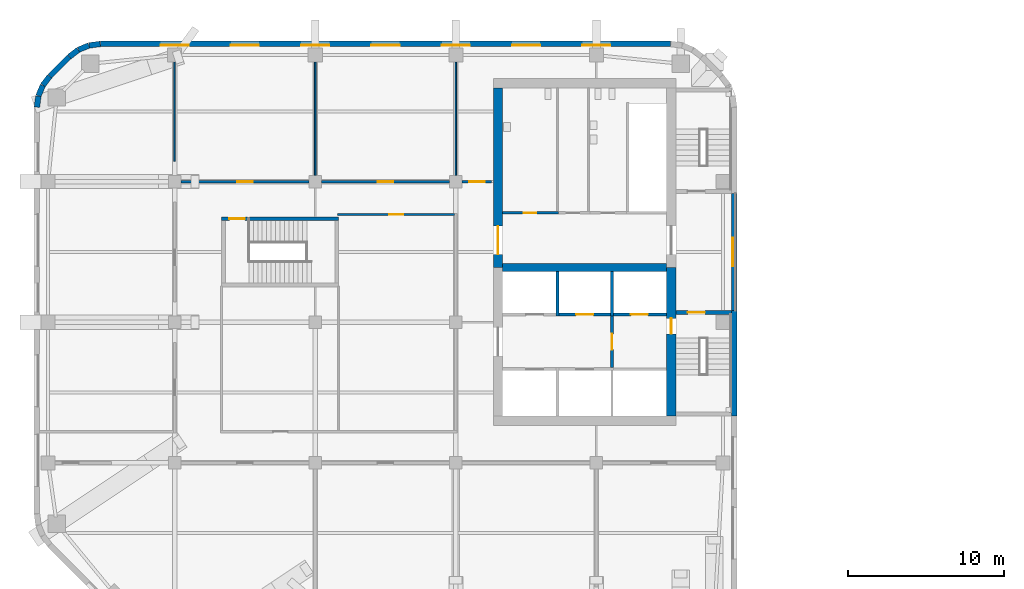
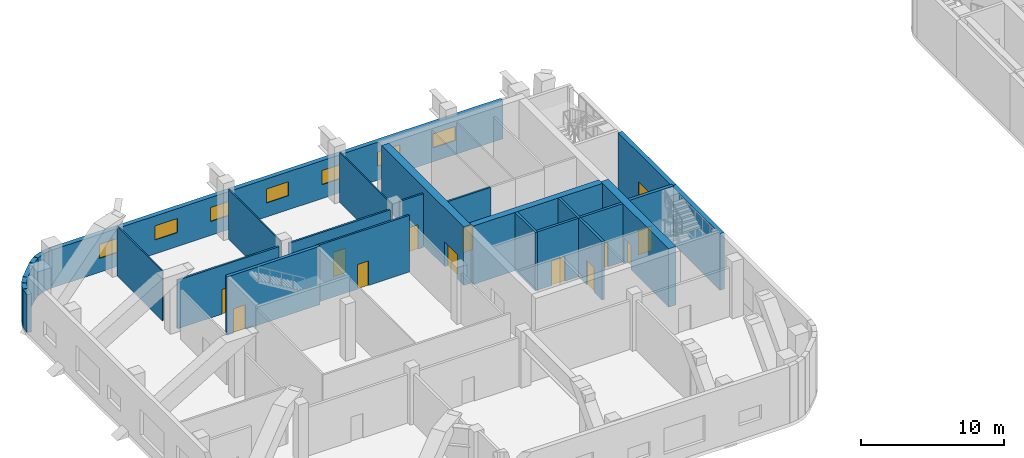
# One storey, part 13 of 23: 28 walls, 12 doors, 8 windows, 20 openings.
"""IFC4 building model written with IfcOpenShell, lengths in metres."""

import ifcopenshell
import ifcopenshell.guid

model = None  # the IFC model being written
_history = None  # IfcOwnerHistory: only IFC2X3 demands one
_inside = {}  # id of a spatial element -> (the spatial element, [elements in it])
_under = {}  # id of a project, library or spatial element -> (it, [spatial elements below it])
_declared = {}  # id of a project -> (the project, [libraries it declares])
_typed = {}  # id of a type object -> (the type object, [elements of that type])
_made_of = {}  # id of a material, layer set ... -> (it, [elements and type objects made of it])


def new_model(schema):
    """Start an empty IFC model of exactly this schema.

    Asked for "IFC4X3", IfcOpenShell would pick the latest addendum, in which some entities
    have other attributes; the version numbers below select the first issue.
    IFC2X3 requires an IfcOwnerHistory on every rooted entity: one is made here for all.
    """
    global model, _history
    if schema == "IFC4X3":
        model = ifcopenshell.file(schema_version=(4, 3, 0, 0))
    else:
        model = ifcopenshell.file(schema=schema)
    _inside.clear()
    _under.clear()
    _declared.clear()
    _typed.clear()
    _made_of.clear()
    _history = None
    if model.schema == "IFC2X3":
        org = make("IfcOrganization", Name="unknown")
        user = make(
            "IfcPersonAndOrganization",
            ThePerson=make("IfcPerson", FamilyName="unknown"),
            TheOrganization=org,
        )
        app = make(
            "IfcApplication",
            ApplicationDeveloper=org,
            Version="unknown",
            ApplicationFullName="unknown",
            ApplicationIdentifier="unknown",
        )
        _history = make(
            "IfcOwnerHistory",
            OwningUser=user,
            OwningApplication=app,
            ChangeAction="ADDED",
            CreationDate=0,
        )
    return model


def make(cls, **values):
    """One entity of the class cls with the attributes given. An attribute that is None is left unset."""
    return model.create_entity(
        cls, **{name: value for name, value in values.items() if value is not None}
    )


def rooted(cls, **values):
    """An entity with a GlobalId (a new one), such as an element, a storey or a relation."""
    return make(cls, GlobalId=ifcopenshell.guid.new(), OwnerHistory=_history, **values)


def si_unit(unit_type, name, prefix=None):
    """IfcSIUnit, for example si_unit("LENGTHUNIT", "METRE", prefix="MILLI")."""
    return make("IfcSIUnit", UnitType=unit_type, Prefix=prefix, Name=name)


def assignment(units):
    """IfcUnitAssignment: the units of a project."""
    return None if units is None else make("IfcUnitAssignment", Units=units)


def point(xyz):
    """IfcCartesianPoint."""
    return None if xyz is None else make("IfcCartesianPoint", Coordinates=xyz)


def direction(xyz):
    """IfcDirection."""
    return None if xyz is None else make("IfcDirection", DirectionRatios=xyz)


def frame(location, z_axis=None, x_axis=None):
    """IfcAxis2Placement3D, a coordinate frame: its origin and axes. An axis left out is left unset."""
    return make(
        "IfcAxis2Placement3D",
        Location=point(location),
        Axis=direction(z_axis),
        RefDirection=direction(x_axis),
    )


def frame_2d(location, x_axis=None):
    """IfcAxis2Placement2D, a coordinate frame in the plane: its origin and x axis."""
    return make(
        "IfcAxis2Placement2D", Location=point(location), RefDirection=direction(x_axis)
    )


def origin():
    """The frame at (0, 0, 0) with its axes left unset."""
    return frame((0.0, 0.0, 0.0))


def place(relative_to, where):
    """IfcLocalPlacement: puts the frame where relative to a parent placement (None: the world)."""
    return make(
        "IfcLocalPlacement", PlacementRelTo=relative_to, RelativePlacement=where
    )


def context(
    kind, dimensions, precision=None, world=None, true_north=None, identifier=None
):
    """IfcGeometricRepresentationContext, for example the 3D "Model" context."""
    return make(
        "IfcGeometricRepresentationContext",
        ContextIdentifier=identifier,
        ContextType=kind,
        CoordinateSpaceDimension=dimensions,
        Precision=precision,
        WorldCoordinateSystem=world,
        TrueNorth=true_north,
    )


def subcontext(parent, identifier, kind, view, scale=None):
    """IfcGeometricRepresentationSubContext, for example "Body" below "Model"."""
    return make(
        "IfcGeometricRepresentationSubContext",
        ContextIdentifier=identifier,
        ContextType=kind,
        ParentContext=parent,
        TargetScale=scale,
        TargetView=view,
    )


def project(units=None, contexts=None):
    """IfcProject with its units and contexts."""
    return rooted(
        "IfcProject",
        Name="project",
        RepresentationContexts=contexts,
        UnitsInContext=assignment(units),
    )


def spatial(cls, under=None, at=None, **own):
    """A site, building, storey or space (cls), placed at a placement, below another one or the project."""
    s = rooted(cls, ObjectPlacement=at, **own)
    if under is not None:
        _under.setdefault(under.id(), (under, []))[1].append(s)
    return s


def profile(cls, at=None, kind="AREA", **sizes):
    """A parametric profile (cls). Its sizes go by their IFC names, for example OverallWidth=200.0."""
    return make(cls, ProfileType=kind, Position=at, **sizes)


def rectangle(**sizes):
    """IfcRectangleProfileDef."""
    return profile("IfcRectangleProfileDef", **sizes)


def extrude(swept, where, along, depth):
    """IfcExtrudedAreaSolid: the profile swept, set in the frame where, extruded along a direction by depth."""
    return make(
        "IfcExtrudedAreaSolid",
        SweptArea=swept,
        Position=where,
        ExtrudedDirection=direction(along),
        Depth=depth,
    )


def shape(context_of_items, identifier, shape_type, items):
    """IfcShapeRepresentation: the items that make up one representation, for example the "Body"."""
    return make(
        "IfcShapeRepresentation",
        ContextOfItems=context_of_items,
        RepresentationIdentifier=identifier,
        RepresentationType=shape_type,
        Items=items,
    )


def material(Name=None, Category=None):
    """IfcMaterial."""
    return make("IfcMaterial", Name=Name, Category=Category)


def layer(
    of_material, thickness, ventilated=None, Name=None, Category=None, Priority=None
):
    """IfcMaterialLayer: one layer of a wall or slab, of a material (None: an air gap)."""
    return make(
        "IfcMaterialLayer",
        Material=of_material,
        LayerThickness=thickness,
        IsVentilated=ventilated,
        Name=Name,
        Category=Category,
        Priority=Priority,
    )


def layer_set(layers, Name=None):
    """IfcMaterialLayerSet."""
    return make("IfcMaterialLayerSet", MaterialLayers=layers, LayerSetName=Name)


def made_of(thing, what):
    """Note that an element or type object is made of a material, layer set ...; save() writes the relation."""
    if what is not None:
        _made_of.setdefault(what.id(), (what, []))[1].append(thing)
    return thing


def type_object(cls, material=None, **own):
    """A type object (cls), such as IfcWallType, which elements share."""
    return made_of(rooted(cls, **own), material)


def element(
    cls,
    number,
    at=None,
    inside=None,
    cuts=None,
    type_object=None,
    material=None,
    context=None,
    identifier="Body",
    shape_type=None,
    held_by="IfcProductDefinitionShape",
    body=None,
    shapes=None,
    **own,
):
    """One element of the class cls, such as IfcWall. Its Tag is "e" and its number.

    at: its placement. inside: the storey or other place that contains it. cuts: it is an
    opening in that element (IfcRelVoidsElement). A single representation is given by context,
    identifier, shape_type and body (its items); several are given by shapes. held_by: the class
    of the entity that holds the representations. save() writes the other relations.
    """
    e = rooted(cls, Tag="e%d" % number, ObjectPlacement=at, **own)
    if body is not None:
        shapes = [shape(context, identifier, shape_type, body)]
    if shapes is not None:
        e.Representation = make(held_by, Representations=shapes)
    if inside is not None:
        _inside.setdefault(inside.id(), (inside, []))[1].append(e)
    if cuts is not None:
        rooted(
            "IfcRelVoidsElement", RelatingBuildingElement=cuts, RelatedOpeningElement=e
        )
    if type_object is not None:
        _typed.setdefault(type_object.id(), (type_object, []))[1].append(e)
    return made_of(e, material)


def fill(opening, filler):
    """IfcRelFillsElement: the door or window that sits in an opening."""
    return rooted(
        "IfcRelFillsElement",
        RelatingOpeningElement=opening,
        RelatedBuildingElement=filler,
    )


def aggregate(whole, parts):
    """IfcRelAggregates: a whole, such as a stair, and the parts it consists of."""
    return rooted("IfcRelAggregates", RelatingObject=whole, RelatedObjects=parts)


def save(model, path):
    """Write the relations noted so far, then the file.

    IfcRelAggregates (storeys below a building ...), IfcRelContainedInSpatialStructure (elements
    in a storey), IfcRelDefinesByType, IfcRelAssociatesMaterial and IfcRelDeclares: one each for
    every whole, place, type object, material and project.
    """
    for whole, parts in _under.values():
        aggregate(whole, parts)
    for where, things in _inside.values():
        rooted(
            "IfcRelContainedInSpatialStructure",
            RelatedElements=things,
            RelatingStructure=where,
        )
    for kind, things in _typed.values():
        rooted("IfcRelDefinesByType", RelatedObjects=things, RelatingType=kind)
    for what, things in _made_of.values():
        rooted("IfcRelAssociatesMaterial", RelatedObjects=things, RelatingMaterial=what)
    for by, libraries in _declared.values():
        rooted("IfcRelDeclares", RelatingContext=by, RelatedDefinitions=libraries)
    model.write(path)


model = new_model("IFC4")

# Units and contexts
model_context = context("Model", 3, precision=1e-05, world=origin(), true_north=direction((0.0, 1.0)))
body_context = subcontext(model_context, "Body", "Model", "MODEL_VIEW")
ifc_project = project(units=[si_unit("LENGTHUNIT", "METRE"), si_unit("AREAUNIT", "SQUARE_METRE"), si_unit("VOLUMEUNIT", "CUBIC_METRE"), si_unit("PLANEANGLEUNIT", "RADIAN"), si_unit("MASSUNIT", "GRAM", prefix="KILO")], contexts=[model_context])

# Site, building, storey
site_placement = place(None, origin())
site = spatial("IfcSite", under=ifc_project, at=site_placement, CompositionType="ELEMENT")
building_placement = place(site_placement, origin())
building = spatial("IfcBuilding", under=site, at=building_placement, Name="Cinnabar Reach Civic Tower", CompositionType="ELEMENT")
storey_placement = place(building_placement, frame((0.0, 0.0, 46.0)))
storey = spatial("IfcBuildingStorey", under=building, at=storey_placement, Name="L10", CompositionType="ELEMENT", Elevation=46.0)

# Walls
ifc_material_1 = material(Name="Facing brick with insulated backing", Category="masonry")
ifc_layer_1 = layer(ifc_material_1, 0.36)
ifc_layer_set_1 = layer_set([ifc_layer_1], Name="Brick corner wall")
wall_type_1 = type_object("IfcWallType", Name="Brick corner wall", PredefinedType="STANDARD", material=ifc_layer_set_1)
for number, where, z_axis, x_axis, name in (
    (1, (-67.7686, 44.817, 0.0), (0.0, 0.0, 1.0), (-0.99144092581, -0.13055608231, 0.0), "Brick corner wall"),
    (2, (-68.4973, 44.7181, 0.0), (0.0, 0.0, 1.0), (-0.923871547278, -0.382702709855, 0.0), "Brick corner wall"),
):
    element("IfcWall", number, at=place(storey_placement, frame(where, z_axis=z_axis, x_axis=x_axis)), inside=storey, type_object=wall_type_1, Name=name, PredefinedType="STANDARD", context=body_context, shape_type="SweptSolid", body=[
        extrude(rectangle(XDim=0.7131, YDim=0.36, at=frame_2d((0.3565, 0.0))), origin(), (0.0, 0.0, 1.0), 3.25),
    ])
for number, where, z_axis, x_axis, name in (
    (3, (-69.1755, 44.434, 0.0), (0.0, 0.0, 1.0), (-0.793321924995, -0.608802368033, 0.0), "Brick corner wall"),
    (4, (-70.9998, 42.7413, 0.0), (0.0, 0.0, 1.0), (-0.608802368033, -0.793321924995, 0.0), "Brick corner wall"),
):
    element("IfcWall", number, at=place(storey_placement, frame(where, z_axis=z_axis, x_axis=x_axis)), inside=storey, type_object=wall_type_1, Name=name, PredefinedType="STANDARD", context=body_context, shape_type="SweptSolid", body=[
        extrude(rectangle(XDim=0.7132, YDim=0.36, at=frame_2d((0.3566, 0.0))), origin(), (0.0, 0.0, 1.0), 3.25),
    ])
for number, where, z_axis, x_axis, name in (
    (5, (-71.4452, 42.1561, 0.0), (0.0, 0.0, 1.0), (-0.382702709855, -0.923871547278, 0.0), "Brick corner wall"),
    (6, (-71.7239, 41.4756, 0.0), (0.0, 0.0, 1.0), (-0.13055608231, -0.99144092581, 0.0), "Brick corner wall"),
):
    element("IfcWall", number, at=place(storey_placement, frame(where, z_axis=z_axis, x_axis=x_axis)), inside=storey, type_object=wall_type_1, Name=name, PredefinedType="STANDARD", context=body_context, shape_type="SweptSolid", body=[
        extrude(rectangle(XDim=0.7131, YDim=0.36, at=frame_2d((0.3565, 0.0))), origin(), (0.0, 0.0, 1.0), 3.25),
    ])
ifc_layer_2 = layer(ifc_material_1, 0.36)
ifc_layer_set_2 = layer_set([ifc_layer_2], Name="Brick pier and spandrel wall")
wall_type_2 = type_object("IfcWallType", Name="Brick pier and spandrel wall", PredefinedType="STANDARD", material=ifc_layer_set_2)
wall_1_placement = place(storey_placement, frame((-27.18, 21.0, 0.0), z_axis=(0.0, 0.0, 1.0), x_axis=(0.0, 1.0, 0.0)))
element("IfcWall", 7, at=wall_1_placement, inside=storey, type_object=wall_type_2, Name="Brick facade wall", PredefinedType="STANDARD", context=body_context, shape_type="SweptSolid", body=[
    extrude(rectangle(XDim=6.75, YDim=0.36, at=frame_2d((3.375, 0.0))), origin(), (0.0, 0.0, 1.0), 4.85),
])

# Wall, opening, window
wall_2_placement = place(storey_placement, frame((-27.18, 27.75, 0.0), z_axis=(0.0, 0.0, 1.0), x_axis=(0.0, 1.0, 0.0)))
wall_2 = element("IfcWall", 8, at=wall_2_placement, inside=storey, type_object=wall_type_2, Name="Brick facade wall", PredefinedType="STANDARD", context=body_context, shape_type="SweptSolid", body=[
    extrude(rectangle(XDim=7.5, YDim=0.36, at=frame_2d((3.75, 0.0))), origin(), (0.0, 0.0, 1.0), 4.85),
])
opening_1_placement = place(wall_2_placement, frame((2.85, 0.0, 1.2)))
opening_1 = element("IfcOpeningElement", 9, at=opening_1_placement, cuts=wall_2, Name="Opening W2468", PredefinedType="OPENING", context=body_context, shape_type="SweptSolid", body=[
    extrude(rectangle(XDim=1.8, YDim=1.2, at=frame_2d((0.9, 0.6))), frame((0.0, 0.19, 0.0), z_axis=(0.0, -1.0, 0.0), x_axis=(1.0, 0.0, 0.0)), (0.0, 0.0, 1.0), 0.38),
])
ifc_material_2 = material(Name="Clear double glazing in aluminium frame", Category="aluminium")
window_type = type_object("IfcWindowType", Name="Deep-set window C", PartitioningType="SINGLE_PANEL", PredefinedType="WINDOW", material=ifc_material_2)
window_1_placement = place(opening_1_placement, origin())
window_1 = element("IfcWindow", 10, at=window_1_placement, inside=storey, type_object=window_type, Name="Window east face", OverallHeight=1.2, OverallWidth=1.8, PartitioningType="SINGLE_PANEL", PredefinedType="WINDOW", context=body_context, shape_type="SweptSolid", body=[
    extrude(rectangle(XDim=1.8, YDim=1.2, at=frame_2d((0.9, 0.6))), frame((0.0, 0.13, 0.0), z_axis=(0.0, -1.0, 0.0), x_axis=(1.0, 0.0, 0.0)), (0.0, 0.0, 1.0), 0.06),
])
fill(opening_1, window_1)

# Wall, openings, windows
wall_3_placement = place(storey_placement, frame((-31.2426, 44.82, 0.0), z_axis=(0.0, 0.0, 1.0), x_axis=(-1.0, 0.0, 0.0)))
wall_3 = element("IfcWall", 11, at=wall_3_placement, inside=storey, type_object=wall_type_2, Name="Brick facade wall", PredefinedType="STANDARD", context=body_context, shape_type="SweptSolid", body=[
    extrude(rectangle(XDim=36.5148, YDim=0.36, at=frame_2d((18.2574, 0.0))), origin(), (0.0, 0.0, 1.0), 3.25),
])
opening_2_placement = place(wall_3_placement, frame((3.8574, 0.0, 1.2)))
opening_2 = element("IfcOpeningElement", 12, at=opening_2_placement, cuts=wall_3, Name="Opening W2469", PredefinedType="OPENING", context=body_context, shape_type="SweptSolid", body=[
    extrude(rectangle(XDim=1.8, YDim=1.2, at=frame_2d((0.9, 0.6))), frame((0.0, 0.19, 0.0), z_axis=(0.0, -1.0, 0.0), x_axis=(1.0, 0.0, 0.0)), (0.0, 0.0, 1.0), 0.38),
])
opening_3_placement = place(wall_3_placement, frame((8.3574, 0.0, 1.2)))
opening_3 = element("IfcOpeningElement", 13, at=opening_3_placement, cuts=wall_3, Name="Opening W2470", PredefinedType="OPENING", context=body_context, shape_type="SweptSolid", body=[
    extrude(rectangle(XDim=1.8, YDim=1.2, at=frame_2d((0.9, 0.6))), frame((0.0, 0.19, 0.0), z_axis=(0.0, -1.0, 0.0), x_axis=(1.0, 0.0, 0.0)), (0.0, 0.0, 1.0), 0.38),
])
opening_4_placement = place(wall_3_placement, frame((12.8574, 0.0, 1.2)))
opening_4 = element("IfcOpeningElement", 14, at=opening_4_placement, cuts=wall_3, Name="Opening W2471", PredefinedType="OPENING", context=body_context, shape_type="SweptSolid", body=[
    extrude(rectangle(XDim=1.8, YDim=1.2, at=frame_2d((0.9, 0.6))), frame((0.0, 0.19, 0.0), z_axis=(0.0, -1.0, 0.0), x_axis=(1.0, 0.0, 0.0)), (0.0, 0.0, 1.0), 0.38),
])
opening_5_placement = place(wall_3_placement, frame((17.3574, 0.0, 1.2)))
opening_5 = element("IfcOpeningElement", 15, at=opening_5_placement, cuts=wall_3, Name="Opening W2472", PredefinedType="OPENING", context=body_context, shape_type="SweptSolid", body=[
    extrude(rectangle(XDim=1.8, YDim=1.2, at=frame_2d((0.9, 0.6))), frame((0.0, 0.19, 0.0), z_axis=(0.0, -1.0, 0.0), x_axis=(1.0, 0.0, 0.0)), (0.0, 0.0, 1.0), 0.38),
])
opening_6_placement = place(wall_3_placement, frame((21.8574, 0.0, 1.2)))
opening_6 = element("IfcOpeningElement", 16, at=opening_6_placement, cuts=wall_3, Name="Opening W2473", PredefinedType="OPENING", context=body_context, shape_type="SweptSolid", body=[
    extrude(rectangle(XDim=1.8, YDim=1.2, at=frame_2d((0.9, 0.6))), frame((0.0, 0.19, 0.0), z_axis=(0.0, -1.0, 0.0), x_axis=(1.0, 0.0, 0.0)), (0.0, 0.0, 1.0), 0.38),
])
opening_7_placement = place(wall_3_placement, frame((26.3574, 0.0, 1.2)))
opening_7 = element("IfcOpeningElement", 17, at=opening_7_placement, cuts=wall_3, Name="Opening W2474", PredefinedType="OPENING", context=body_context, shape_type="SweptSolid", body=[
    extrude(rectangle(XDim=1.8, YDim=1.2, at=frame_2d((0.9, 0.6))), frame((0.0, 0.19, 0.0), z_axis=(0.0, -1.0, 0.0), x_axis=(1.0, 0.0, 0.0)), (0.0, 0.0, 1.0), 0.38),
])
opening_8_placement = place(wall_3_placement, frame((30.8574, 0.0, 1.2)))
opening_8 = element("IfcOpeningElement", 18, at=opening_8_placement, cuts=wall_3, Name="Opening W2475", PredefinedType="OPENING", context=body_context, shape_type="SweptSolid", body=[
    extrude(rectangle(XDim=1.8, YDim=1.2, at=frame_2d((0.9, 0.6))), frame((0.0, 0.19, 0.0), z_axis=(0.0, -1.0, 0.0), x_axis=(1.0, 0.0, 0.0)), (0.0, 0.0, 1.0), 0.38),
])
window_2_placement = place(opening_2_placement, origin())
window_2 = element("IfcWindow", 19, at=window_2_placement, inside=storey, type_object=window_type, Name="Window north face", OverallHeight=1.2, OverallWidth=1.8, PartitioningType="SINGLE_PANEL", PredefinedType="WINDOW", context=body_context, shape_type="SweptSolid", body=[
    extrude(rectangle(XDim=1.8, YDim=1.2, at=frame_2d((0.9, 0.6))), frame((0.0, 0.13, 0.0), z_axis=(0.0, -1.0, 0.0), x_axis=(1.0, 0.0, 0.0)), (0.0, 0.0, 1.0), 0.06),
])
fill(opening_2, window_2)
window_3_placement = place(opening_3_placement, origin())
window_3 = element("IfcWindow", 20, at=window_3_placement, inside=storey, type_object=window_type, Name="Window north face", OverallHeight=1.2, OverallWidth=1.8, PartitioningType="SINGLE_PANEL", PredefinedType="WINDOW", context=body_context, shape_type="SweptSolid", body=[
    extrude(rectangle(XDim=1.8, YDim=1.2, at=frame_2d((0.9, 0.6))), frame((0.0, 0.13, 0.0), z_axis=(0.0, -1.0, 0.0), x_axis=(1.0, 0.0, 0.0)), (0.0, 0.0, 1.0), 0.06),
])
fill(opening_3, window_3)
window_4_placement = place(opening_4_placement, origin())
window_4 = element("IfcWindow", 21, at=window_4_placement, inside=storey, type_object=window_type, Name="Window north face", OverallHeight=1.2, OverallWidth=1.8, PartitioningType="SINGLE_PANEL", PredefinedType="WINDOW", context=body_context, shape_type="SweptSolid", body=[
    extrude(rectangle(XDim=1.8, YDim=1.2, at=frame_2d((0.9, 0.6))), frame((0.0, 0.13, 0.0), z_axis=(0.0, -1.0, 0.0), x_axis=(1.0, 0.0, 0.0)), (0.0, 0.0, 1.0), 0.06),
])
fill(opening_4, window_4)
window_5_placement = place(opening_5_placement, origin())
window_5 = element("IfcWindow", 22, at=window_5_placement, inside=storey, type_object=window_type, Name="Window north face", OverallHeight=1.2, OverallWidth=1.8, PartitioningType="SINGLE_PANEL", PredefinedType="WINDOW", context=body_context, shape_type="SweptSolid", body=[
    extrude(rectangle(XDim=1.8, YDim=1.2, at=frame_2d((0.9, 0.6))), frame((0.0, 0.13, 0.0), z_axis=(0.0, -1.0, 0.0), x_axis=(1.0, 0.0, 0.0)), (0.0, 0.0, 1.0), 0.06),
])
fill(opening_5, window_5)
window_6_placement = place(opening_6_placement, origin())
window_6 = element("IfcWindow", 23, at=window_6_placement, inside=storey, type_object=window_type, Name="Window north face", OverallHeight=1.2, OverallWidth=1.8, PartitioningType="SINGLE_PANEL", PredefinedType="WINDOW", context=body_context, shape_type="SweptSolid", body=[
    extrude(rectangle(XDim=1.8, YDim=1.2, at=frame_2d((0.9, 0.6))), frame((0.0, 0.13, 0.0), z_axis=(0.0, -1.0, 0.0), x_axis=(1.0, 0.0, 0.0)), (0.0, 0.0, 1.0), 0.06),
])
fill(opening_6, window_6)
window_7_placement = place(opening_7_placement, origin())
window_7 = element("IfcWindow", 24, at=window_7_placement, inside=storey, type_object=window_type, Name="Window north face", OverallHeight=1.2, OverallWidth=1.8, PartitioningType="SINGLE_PANEL", PredefinedType="WINDOW", context=body_context, shape_type="SweptSolid", body=[
    extrude(rectangle(XDim=1.8, YDim=1.2, at=frame_2d((0.9, 0.6))), frame((0.0, 0.13, 0.0), z_axis=(0.0, -1.0, 0.0), x_axis=(1.0, 0.0, 0.0)), (0.0, 0.0, 1.0), 0.06),
])
fill(opening_7, window_7)
window_8_placement = place(opening_8_placement, origin())
window_8 = element("IfcWindow", 25, at=window_8_placement, inside=storey, type_object=window_type, Name="Window north face", OverallHeight=1.2, OverallWidth=1.8, PartitioningType="SINGLE_PANEL", PredefinedType="WINDOW", context=body_context, shape_type="SweptSolid", body=[
    extrude(rectangle(XDim=1.8, YDim=1.2, at=frame_2d((0.9, 0.6))), frame((0.0, 0.13, 0.0), z_axis=(0.0, -1.0, 0.0), x_axis=(1.0, 0.0, 0.0)), (0.0, 0.0, 1.0), 0.06),
])
fill(opening_8, window_8)

# Walls
wall_4_placement = place(storey_placement, frame((-69.7514, 43.994, 0.0), z_axis=(0.0, 0.0, 1.0), x_axis=(-0.707106781187, -0.707106781187, 0.0)))
element("IfcWall", 26, at=wall_4_placement, inside=storey, type_object=wall_type_2, Name="Brick facade wall", PredefinedType="STANDARD", context=body_context, shape_type="SweptSolid", body=[
    extrude(rectangle(XDim=1.7573, YDim=0.36, at=frame_2d((0.8787, 0.0))), origin(), (0.0, 0.0, 1.0), 3.25),
])
ifc_material_3 = material(Name="Concrete C60", Category="concrete")
ifc_layer_3 = layer(ifc_material_3, 0.5)
ifc_layer_set_3 = layer_set([ifc_layer_3], Name="Core wall 500 EI 180")
wall_type_3 = type_object("IfcWallType", Name="Core wall 500 EI 180", PredefinedType="SOLIDWALL", material=ifc_layer_set_3)
wall_5_placement = place(storey_placement, frame((-42.0, 30.5, 0.0), z_axis=(0.0, 0.0, 1.0), x_axis=(1.0, 0.0, 0.0)))
element("IfcWall", 27, at=wall_5_placement, inside=storey, type_object=wall_type_3, Name="Core spine wall T2 L10", PredefinedType="SOLIDWALL", context=body_context, shape_type="SweptSolid", body=[
    extrude(rectangle(XDim=10.5, YDim=0.5, at=frame_2d((5.25, 0.0))), origin(), (0.0, 0.0, 1.0), 5.0),
])

# Wall, opening, door
ifc_material_4 = material(Name="Concrete C70", Category="concrete")
ifc_layer_4 = layer(ifc_material_4, 0.6)
ifc_layer_set_4 = layer_set([ifc_layer_4], Name="Core wall 600 EI 180")
wall_type_4 = type_object("IfcWallType", Name="Core wall 600 EI 180", PredefinedType="SOLIDWALL", material=ifc_layer_set_4)
wall_6_placement = place(storey_placement, frame((-31.2, 21.0, 0.0), z_axis=(0.0, 0.0, 1.0), x_axis=(0.0, 1.0, 0.0)))
wall_6 = element("IfcWall", 28, at=wall_6_placement, inside=storey, type_object=wall_type_4, Name="Core wall T2 L10 E", PredefinedType="SOLIDWALL", context=body_context, shape_type="SweptSolid", body=[
    extrude(rectangle(XDim=9.5, YDim=0.6, at=frame_2d((4.75, 0.0))), origin(), (0.0, 0.0, 1.0), 5.0),
])
opening_9_placement = place(wall_6_placement, frame((5.25, 0.0, 0.0)))
opening_9 = element("IfcOpeningElement", 29, at=opening_9_placement, cuts=wall_6, Name="Opening D6376", PredefinedType="OPENING", context=body_context, shape_type="SweptSolid", body=[
    extrude(rectangle(XDim=1.0, YDim=2.1, at=frame_2d((0.5, 1.05))), frame((0.0, 0.31, 0.0), z_axis=(0.0, -1.0, 0.0), x_axis=(1.0, 0.0, 0.0)), (0.0, 0.0, 1.0), 0.62),
])
ifc_material_5 = material(Name="Steel fire door", Category="steel")
door_type_1 = type_object("IfcDoorType", Name="T2 Firefighting lobby door 1000", OperationType="SINGLE_SWING_LEFT", PredefinedType="DOOR", material=ifc_material_5)
door_1_placement = place(opening_9_placement, frame((1.0, 0.0, 0.0), z_axis=(0.0, 0.0, 1.0), x_axis=(-1.0, 0.0, 0.0)))
door_1 = element("IfcDoor", 30, at=door_1_placement, inside=storey, type_object=door_type_1, Name="T2 Firefighting lobby door D6376", OperationType="SINGLE_SWING_LEFT", OverallHeight=2.1, OverallWidth=1.0, PredefinedType="DOOR", context=body_context, shape_type="SweptSolid", body=[
    extrude(rectangle(XDim=1.0, YDim=2.1, at=frame_2d((0.5, 1.05))), frame((0.0, 0.025, 0.0), z_axis=(0.0, -1.0, 0.0), x_axis=(1.0, 0.0, 0.0)), (0.0, 0.0, 1.0), 0.05),
])
fill(opening_9, door_1)

wall_7_placement = place(storey_placement, frame((-42.3, 42.0, 0.0), z_axis=(0.0, 0.0, 1.0), x_axis=(0.0, -1.0, 0.0)))
wall_7 = element("IfcWall", 31, at=wall_7_placement, inside=storey, type_object=wall_type_4, Name="Core wall T2 L10 W", PredefinedType="SOLIDWALL", context=body_context, shape_type="SweptSolid", body=[
    extrude(rectangle(XDim=11.5, YDim=0.6, at=frame_2d((5.75, 0.0))), origin(), (0.0, 0.0, 1.0), 5.0),
])
opening_10_placement = place(wall_7_placement, frame((8.85, 0.0, 0.0)))
opening_10 = element("IfcOpeningElement", 32, at=opening_10_placement, cuts=wall_7, Name="Opening D6381", PredefinedType="OPENING", context=body_context, shape_type="SweptSolid", body=[
    extrude(rectangle(XDim=1.8, YDim=2.1, at=frame_2d((0.9, 1.05))), frame((0.0, 0.31, 0.0), z_axis=(0.0, -1.0, 0.0), x_axis=(1.0, 0.0, 0.0)), (0.0, 0.0, 1.0), 0.62),
])
door_type_2 = type_object("IfcDoorType", Name="T2 Double door 1800", OperationType="DOUBLE_DOOR_SINGLE_SWING", PredefinedType="DOOR", material=ifc_material_5)
door_2_placement = place(opening_10_placement, frame((1.8, 0.0, 0.0), z_axis=(0.0, 0.0, 1.0), x_axis=(-1.0, 0.0, 0.0)))
door_2 = element("IfcDoor", 33, at=door_2_placement, inside=storey, type_object=door_type_2, Name="T2 Double door D6381", OperationType="DOUBLE_DOOR_SINGLE_SWING", OverallHeight=2.1, OverallWidth=1.8, PredefinedType="DOOR", context=body_context, shape_type="SweptSolid", body=[
    extrude(rectangle(XDim=1.8, YDim=2.1, at=frame_2d((0.9, 1.05))), frame((0.0, 0.025, 0.0), z_axis=(0.0, -1.0, 0.0), x_axis=(1.0, 0.0, 0.0)), (0.0, 0.0, 1.0), 0.05),
])
fill(opening_10, door_2)

ifc_material_6 = material(Name="Gypsum board on steel studs, double layer", Category="steel")
ifc_layer_5 = layer(ifc_material_6, 0.15)
ifc_layer_set_5 = layer_set([ifc_layer_5], Name="Corridor wall 150 T2")
wall_type_5 = type_object("IfcWallType", Name="Corridor wall 150 T2", PredefinedType="PARTITIONING", material=ifc_layer_set_5)
wall_8_placement = place(storey_placement, frame((-62.6, 36.0, 0.0), z_axis=(0.0, 0.0, 1.0), x_axis=(1.0, 0.0, 0.0)))
wall_8 = element("IfcWall", 34, at=wall_8_placement, inside=storey, type_object=wall_type_5, Name="Corridor wall 9", PredefinedType="PARTITIONING", context=body_context, shape_type="SweptSolid", body=[
    extrude(rectangle(XDim=8.2, YDim=0.15, at=frame_2d((4.1, 0.0))), origin(), (0.0, 0.0, 1.0), 4.158),
])
opening_11_placement = place(wall_8_placement, frame((3.6, 0.0, 0.0)))
opening_11 = element("IfcOpeningElement", 35, at=opening_11_placement, cuts=wall_8, Name="Opening D6389", PredefinedType="OPENING", context=body_context, shape_type="SweptSolid", body=[
    extrude(rectangle(XDim=1.0, YDim=2.1, at=frame_2d((0.5, 1.05))), frame((0.0, 0.085, 0.0), z_axis=(0.0, -1.0, 0.0), x_axis=(1.0, 0.0, 0.0)), (0.0, 0.0, 1.0), 0.17),
])
ifc_material_7 = material(Name="Timber door leaf in steel frame", Category="steel")
door_type_3 = type_object("IfcDoorType", Name="Plant room door 1000 x 2100 T2", OperationType="SINGLE_SWING_LEFT", PredefinedType="DOOR", material=ifc_material_7)
door_3_placement = place(opening_11_placement, origin())
door_3 = element("IfcDoor", 36, at=door_3_placement, inside=storey, type_object=door_type_3, Name="Door D6389", OperationType="SINGLE_SWING_RIGHT", OverallHeight=2.1, OverallWidth=1.0, PredefinedType="DOOR", context=body_context, shape_type="SweptSolid", body=[
    extrude(rectangle(XDim=1.0, YDim=2.1, at=frame_2d((0.5, 1.05))), frame((0.0, 0.025, 0.0), z_axis=(0.0, -1.0, 0.0), x_axis=(1.0, 0.0, 0.0)), (0.0, 0.0, 1.0), 0.05),
])
fill(opening_11, door_3)

wall_9_placement = place(storey_placement, frame((-53.6, 36.0, 0.0), z_axis=(0.0, 0.0, 1.0), x_axis=(1.0, 0.0, 0.0)))
wall_9 = element("IfcWall", 37, at=wall_9_placement, inside=storey, type_object=wall_type_5, Name="Corridor wall 10", PredefinedType="PARTITIONING", context=body_context, shape_type="SweptSolid", body=[
    extrude(rectangle(XDim=8.2, YDim=0.15, at=frame_2d((4.1, 0.0))), origin(), (0.0, 0.0, 1.0), 4.158),
])
opening_12_placement = place(wall_9_placement, frame((3.6, 0.0, 0.0)))
opening_12 = element("IfcOpeningElement", 38, at=opening_12_placement, cuts=wall_9, Name="Opening D6390", PredefinedType="OPENING", context=body_context, shape_type="SweptSolid", body=[
    extrude(rectangle(XDim=1.0, YDim=2.1, at=frame_2d((0.5, 1.05))), frame((0.0, 0.085, 0.0), z_axis=(0.0, -1.0, 0.0), x_axis=(1.0, 0.0, 0.0)), (0.0, 0.0, 1.0), 0.17),
])
door_4_placement = place(opening_12_placement, origin())
door_4 = element("IfcDoor", 39, at=door_4_placement, inside=storey, type_object=door_type_3, Name="Door D6390", OperationType="SINGLE_SWING_RIGHT", OverallHeight=2.1, OverallWidth=1.0, PredefinedType="DOOR", context=body_context, shape_type="SweptSolid", body=[
    extrude(rectangle(XDim=1.0, YDim=2.1, at=frame_2d((0.5, 1.05))), frame((0.0, 0.025, 0.0), z_axis=(0.0, -1.0, 0.0), x_axis=(1.0, 0.0, 0.0)), (0.0, 0.0, 1.0), 0.05),
])
fill(opening_12, door_4)

wall_10_placement = place(storey_placement, frame((-44.6, 36.0, 0.0), z_axis=(0.0, 0.0, 1.0), x_axis=(1.0, 0.0, 0.0)))
wall_10 = element("IfcWall", 40, at=wall_10_placement, inside=storey, type_object=wall_type_5, Name="Corridor wall 11", PredefinedType="PARTITIONING", context=body_context, shape_type="SweptSolid", body=[
    extrude(rectangle(XDim=1.875, YDim=0.15, at=frame_2d((0.9375, 0.0))), origin(), (0.0, 0.0, 1.0), 4.602),
])
opening_13_placement = place(wall_10_placement, frame((0.45, 0.0, 0.0)))
opening_13 = element("IfcOpeningElement", 41, at=opening_13_placement, cuts=wall_10, Name="Opening D6385", PredefinedType="OPENING", context=body_context, shape_type="SweptSolid", body=[
    extrude(rectangle(XDim=1.0, YDim=2.1, at=frame_2d((0.5, 1.05))), frame((0.0, 0.085, 0.0), z_axis=(0.0, -1.0, 0.0), x_axis=(1.0, 0.0, 0.0)), (0.0, 0.0, 1.0), 0.17),
])
door_5_placement = place(opening_13_placement, origin())
door_5 = element("IfcDoor", 42, at=door_5_placement, inside=storey, type_object=door_type_3, Name="Door D6385", OperationType="SINGLE_SWING_LEFT", OverallHeight=2.1, OverallWidth=1.0, PredefinedType="DOOR", context=body_context, shape_type="SweptSolid", body=[
    extrude(rectangle(XDim=1.0, YDim=2.1, at=frame_2d((0.5, 1.05))), frame((0.0, 0.025, 0.0), z_axis=(0.0, -1.0, 0.0), x_axis=(1.0, 0.0, 0.0)), (0.0, 0.0, 1.0), 0.05),
])
fill(opening_13, door_5)

wall_11_placement = place(storey_placement, frame((-52.575, 33.9, 0.0), z_axis=(0.0, 0.0, 1.0), x_axis=(1.0, 0.0, 0.0)))
wall_11 = element("IfcWall", 43, at=wall_11_placement, inside=storey, type_object=wall_type_5, Name="Corridor wall 19", PredefinedType="PARTITIONING", context=body_context, shape_type="SweptSolid", body=[
    extrude(rectangle(XDim=7.5, YDim=0.15, at=frame_2d((3.75, 0.0))), origin(), (0.0, 0.0, 1.0), 4.85),
])
opening_14_placement = place(wall_11_placement, frame((3.3, 0.0, 0.0)))
opening_14 = element("IfcOpeningElement", 44, at=opening_14_placement, cuts=wall_11, Name="Opening D6394", PredefinedType="OPENING", context=body_context, shape_type="SweptSolid", body=[
    extrude(rectangle(XDim=0.9, YDim=2.1, at=frame_2d((0.45, 1.05))), frame((0.0, 0.085, 0.0), z_axis=(0.0, -1.0, 0.0), x_axis=(1.0, 0.0, 0.0)), (0.0, 0.0, 1.0), 0.17),
])
door_type_4 = type_object("IfcDoorType", Name="Single swing door 900 x 2100 T2", OperationType="SINGLE_SWING_LEFT", PredefinedType="DOOR", material=ifc_material_7)
door_6_placement = place(opening_14_placement, frame((0.9, 0.0, 0.0), z_axis=(0.0, 0.0, 1.0), x_axis=(-1.0, 0.0, 0.0)))
door_6 = element("IfcDoor", 45, at=door_6_placement, inside=storey, type_object=door_type_4, Name="Door D6394", OperationType="SINGLE_SWING_LEFT", OverallHeight=2.1, OverallWidth=0.9, PredefinedType="DOOR", context=body_context, shape_type="SweptSolid", body=[
    extrude(rectangle(XDim=0.9, YDim=2.1, at=frame_2d((0.45, 1.05))), frame((0.0, 0.025, 0.0), z_axis=(0.0, -1.0, 0.0), x_axis=(1.0, 0.0, 0.0)), (0.0, 0.0, 1.0), 0.05),
])
fill(opening_14, door_6)

# Walls
ifc_material_8 = material(Name="Gypsum board on steel studs", Category="steel")
ifc_layer_6 = layer(ifc_material_8, 0.1)
ifc_layer_set_6 = layer_set([ifc_layer_6], Name="Partition wall 100 T2")
wall_type_6 = type_object("IfcWallType", Name="Partition wall 100 T2", PredefinedType="PARTITIONING", material=ifc_layer_set_6)
wall_12_placement = place(storey_placement, frame((-63.0, 37.3, 0.0), z_axis=(0.0, 0.0, 1.0), x_axis=(0.0, 1.0, 0.0)))
element("IfcWall", 46, at=wall_12_placement, inside=storey, type_object=wall_type_6, Name="Partition wall 21", PredefinedType="PARTITIONING", context=body_context, shape_type="SweptSolid", body=[
    extrude(rectangle(XDim=6.35, YDim=0.1, at=frame_2d((3.175, 0.0))), origin(), (0.0, 0.0, 1.0), 4.254),
])
for number, where, z_axis, x_axis, name in (
    (47, (-54.0, 36.4, 0.0), (0.0, 0.0, 1.0), (0.0, 1.0, 0.0), "Partition wall 22"),
    (48, (-45.0, 36.4, 0.0), (0.0, 0.0, 1.0), (0.0, 1.0, 0.0), "Partition wall 23"),
):
    element("IfcWall", number, at=place(storey_placement, frame(where, z_axis=z_axis, x_axis=x_axis)), inside=storey, type_object=wall_type_6, Name=name, PredefinedType="PARTITIONING", context=body_context, shape_type="SweptSolid", body=[
        extrude(rectangle(XDim=7.25, YDim=0.1, at=frame_2d((3.625, 0.0))), origin(), (0.0, 0.0, 1.0), 4.256),
    ])

# Wall, opening, door
ifc_layer_7 = layer(ifc_material_3, 0.25)
ifc_layer_set_7 = layer_set([ifc_layer_7], Name="Stair shaft wall 250 EI 120")
wall_type_7 = type_object("IfcWallType", Name="Stair shaft wall 250 EI 120", PredefinedType="SOLIDWALL", material=ifc_layer_set_7)
wall_13_placement = place(storey_placement, frame((-27.36, 27.625, 0.0), z_axis=(0.0, 0.0, 1.0), x_axis=(-1.0, 0.0, 0.0)))
wall_13 = element("IfcWall", 49, at=wall_13_placement, inside=storey, type_object=wall_type_7, Name="Stair shaft wall T2-S1 L10", PredefinedType="SOLIDWALL", context=body_context, shape_type="SweptSolid", body=[
    extrude(rectangle(XDim=3.54, YDim=0.25, at=frame_2d((1.77, 0.0))), origin(), (0.0, 0.0, 1.0), 5.0),
])
opening_15_placement = place(wall_13_placement, frame((1.69, 0.0, 0.0)))
opening_15 = element("IfcOpeningElement", 50, at=opening_15_placement, cuts=wall_13, Name="Opening D6377", PredefinedType="OPENING", context=body_context, shape_type="SweptSolid", body=[
    extrude(rectangle(XDim=1.1, YDim=2.1, at=frame_2d((0.55, 1.05))), frame((0.0, 0.135, 0.0), z_axis=(0.0, -1.0, 0.0), x_axis=(1.0, 0.0, 0.0)), (0.0, 0.0, 1.0), 0.27),
])
door_type_5 = type_object("IfcDoorType", Name="T2 Stair door 1100", OperationType="SINGLE_SWING_LEFT", PredefinedType="DOOR", material=ifc_material_5)
door_7_placement = place(opening_15_placement, origin())
door_7 = element("IfcDoor", 51, at=door_7_placement, inside=storey, type_object=door_type_5, Name="T2 Stair door D6377", OperationType="SINGLE_SWING_LEFT", OverallHeight=2.1, OverallWidth=1.1, PredefinedType="DOOR", context=body_context, shape_type="SweptSolid", body=[
    extrude(rectangle(XDim=1.1, YDim=2.1, at=frame_2d((0.55, 1.05))), frame((0.0, 0.025, 0.0), z_axis=(0.0, -1.0, 0.0), x_axis=(1.0, 0.0, 0.0)), (0.0, 0.0, 1.0), 0.05),
])
fill(opening_15, door_7)

wall_14_placement = place(storey_placement, frame((-52.5, 33.625, 0.0), z_axis=(0.0, 0.0, 1.0), x_axis=(-1.0, 0.0, 0.0)))
wall_14 = element("IfcWall", 52, at=wall_14_placement, inside=storey, type_object=wall_type_7, Name="Stair shaft wall T2-S3 L10", PredefinedType="SOLIDWALL", context=body_context, shape_type="SweptSolid", body=[
    extrude(rectangle(XDim=7.5, YDim=0.25, at=frame_2d((3.75, 0.0))), origin(), (0.0, 0.0, 1.0), 5.0),
])
opening_16_placement = place(wall_14_placement, frame((6.0, 0.0, 0.0)))
opening_16 = element("IfcOpeningElement", 53, at=opening_16_placement, cuts=wall_14, Name="Opening D6395", PredefinedType="OPENING", context=body_context, shape_type="SweptSolid", body=[
    extrude(rectangle(XDim=1.0, YDim=2.1, at=frame_2d((0.5, 1.05))), frame((0.0, 0.135, 0.0), z_axis=(0.0, -1.0, 0.0), x_axis=(1.0, 0.0, 0.0)), (0.0, 0.0, 1.0), 0.27),
])
door_type_6 = type_object("IfcDoorType", Name="Stair door 1000 x 2100 T2", OperationType="SINGLE_SWING_LEFT", PredefinedType="DOOR", material=ifc_material_7)
door_8_placement = place(opening_16_placement, origin())
door_8 = element("IfcDoor", 54, at=door_8_placement, inside=storey, type_object=door_type_6, Name="Door D6395", OperationType="SINGLE_SWING_RIGHT", OverallHeight=2.1, OverallWidth=1.0, PredefinedType="DOOR", context=body_context, shape_type="SweptSolid", body=[
    extrude(rectangle(XDim=1.0, YDim=2.1, at=frame_2d((0.5, 1.05))), frame((0.0, 0.025, 0.0), z_axis=(0.0, -1.0, 0.0), x_axis=(1.0, 0.0, 0.0)), (0.0, 0.0, 1.0), 0.05),
])
fill(opening_16, door_8)

ifc_material_9 = material(Name="Masonry block partition", Category="masonry")
ifc_layer_8 = layer(ifc_material_9, 0.15)
ifc_layer_set_8 = layer_set([ifc_layer_8], Name="T2 Corridor wall 150")
wall_type_8 = type_object("IfcWallType", Name="T2 Corridor wall 150", PredefinedType="PARTITIONING", material=ifc_layer_set_8)
wall_15_placement = place(storey_placement, frame((-38.425, 34.0, 0.0), z_axis=(0.0, 0.0, 1.0), x_axis=(-1.0, 0.0, 0.0)))
wall_15 = element("IfcWall", 55, at=wall_15_placement, inside=storey, type_object=wall_type_8, Name="T2 Corridor wall L10 014", PredefinedType="PARTITIONING", context=body_context, shape_type="SweptSolid", body=[
    extrude(rectangle(XDim=3.575, YDim=0.15, at=frame_2d((1.7875, 0.0))), origin(), (0.0, 0.0, 1.0), 4.85),
])
opening_17_placement = place(wall_15_placement, frame((1.425, 0.0, 0.0)))
opening_17 = element("IfcOpeningElement", 56, at=opening_17_placement, cuts=wall_15, Name="Opening D6382", PredefinedType="OPENING", context=body_context, shape_type="SweptSolid", body=[
    extrude(rectangle(XDim=0.8, YDim=2.1, at=frame_2d((0.4, 1.05))), frame((0.0, 0.085, 0.0), z_axis=(0.0, -1.0, 0.0), x_axis=(1.0, 0.0, 0.0)), (0.0, 0.0, 1.0), 0.17),
])
ifc_material_10 = material(Name="Timber door leaf", Category="wood")
door_type_7 = type_object("IfcDoorType", Name="T2 Bathroom door 800", OperationType="SINGLE_SWING_LEFT", PredefinedType="DOOR", material=ifc_material_10)
door_9_placement = place(opening_17_placement, frame((0.8, 0.0, 0.0), z_axis=(0.0, 0.0, 1.0), x_axis=(-1.0, 0.0, 0.0)))
door_9 = element("IfcDoor", 57, at=door_9_placement, inside=storey, type_object=door_type_7, Name="T2 Bathroom door D6382", OperationType="SINGLE_SWING_LEFT", OverallHeight=2.1, OverallWidth=0.8, PredefinedType="DOOR", context=body_context, shape_type="SweptSolid", body=[
    extrude(rectangle(XDim=0.8, YDim=2.1, at=frame_2d((0.4, 1.05))), frame((0.0, 0.025, 0.0), z_axis=(0.0, -1.0, 0.0), x_axis=(1.0, 0.0, 0.0)), (0.0, 0.0, 1.0), 0.05),
])
fill(opening_17, door_9)

# Walls
ifc_material_11 = material(Name="Concrete C40", Category="concrete")
ifc_layer_9 = layer(ifc_material_11, 0.2)
ifc_layer_set_9 = layer_set([ifc_layer_9], Name="T2 Shaft wall 200")
wall_type_9 = type_object("IfcWallType", Name="T2 Shaft wall 200", PredefinedType="SOLIDWALL", material=ifc_layer_set_9)
for number, where, z_axis, x_axis, name in (
    (58, (-38.5, 27.4, 0.0), (0.0, 0.0, 1.0), (0.0, 1.0, 0.0), "T2 Shaft wall L10 004"),
    (59, (-35.0, 27.4, 0.0), (0.0, 0.0, 1.0), (0.0, 1.0, 0.0), "T2 Shaft wall L10 006"),
):
    element("IfcWall", number, at=place(storey_placement, frame(where, z_axis=z_axis, x_axis=x_axis)), inside=storey, type_object=wall_type_9, Name=name, PredefinedType="SOLIDWALL", context=body_context, shape_type="SweptSolid", body=[
        extrude(rectangle(XDim=2.85, YDim=0.2, at=frame_2d((1.425, 0.0))), origin(), (0.0, 0.0, 1.0), 5.0),
    ])

# Wall, opening, door
wall_16_placement = place(storey_placement, frame((-38.4, 27.5, 0.0), z_axis=(0.0, 0.0, 1.0), x_axis=(1.0, 0.0, 0.0)))
wall_16 = element("IfcWall", 60, at=wall_16_placement, inside=storey, type_object=wall_type_9, Name="T2 Shaft wall L10 007", PredefinedType="SOLIDWALL", context=body_context, shape_type="SweptSolid", body=[
    extrude(rectangle(XDim=3.3, YDim=0.2, at=frame_2d((1.65, 0.0))), origin(), (0.0, 0.0, 1.0), 5.0),
])
opening_18_placement = place(wall_16_placement, frame((1.1, 0.0, 0.0)))
opening_18 = element("IfcOpeningElement", 61, at=opening_18_placement, cuts=wall_16, Name="Opening D6373", PredefinedType="OPENING", context=body_context, shape_type="SweptSolid", body=[
    extrude(rectangle(XDim=1.1, YDim=2.1, at=frame_2d((0.55, 1.05))), frame((0.0, 0.11, 0.0), z_axis=(0.0, -1.0, 0.0), x_axis=(1.0, 0.0, 0.0)), (0.0, 0.0, 1.0), 0.22),
])
door_type_8 = type_object("IfcDoorType", Name="T2 Lift landing door 1100", OperationType="SLIDING_TO_LEFT", PredefinedType="DOOR", material=ifc_material_5)
door_10_placement = place(opening_18_placement, origin())
door_10 = element("IfcDoor", 62, at=door_10_placement, inside=storey, type_object=door_type_8, Name="T2 Lift landing door D6373", OperationType="SLIDING_TO_LEFT", OverallHeight=2.1, OverallWidth=1.1, PredefinedType="DOOR", context=body_context, shape_type="SweptSolid", body=[
    extrude(rectangle(XDim=1.1, YDim=2.1, at=frame_2d((0.55, 1.05))), frame((0.0, 0.025, 0.0), z_axis=(0.0, -1.0, 0.0), x_axis=(1.0, 0.0, 0.0)), (0.0, 0.0, 1.0), 0.05),
])
fill(opening_18, door_10)

wall_17_placement = place(storey_placement, frame((-34.9, 27.5, 0.0), z_axis=(0.0, 0.0, 1.0), x_axis=(1.0, 0.0, 0.0)))
wall_17 = element("IfcWall", 63, at=wall_17_placement, inside=storey, type_object=wall_type_9, Name="T2 Shaft wall L10 008", PredefinedType="SOLIDWALL", context=body_context, shape_type="SweptSolid", body=[
    extrude(rectangle(XDim=3.4, YDim=0.2, at=frame_2d((1.7, 0.0))), origin(), (0.0, 0.0, 1.0), 5.0),
])
opening_19_placement = place(wall_17_placement, frame((1.1, 0.0, 0.0)))
opening_19 = element("IfcOpeningElement", 64, at=opening_19_placement, cuts=wall_17, Name="Opening D6374", PredefinedType="OPENING", context=body_context, shape_type="SweptSolid", body=[
    extrude(rectangle(XDim=1.1, YDim=2.1, at=frame_2d((0.55, 1.05))), frame((0.0, 0.11, 0.0), z_axis=(0.0, -1.0, 0.0), x_axis=(1.0, 0.0, 0.0)), (0.0, 0.0, 1.0), 0.22),
])
door_type_9 = type_object("IfcDoorType", Name="T2 Firefighting lift landing door 1100", OperationType="SLIDING_TO_LEFT", PredefinedType="DOOR", material=ifc_material_5)
door_11_placement = place(opening_19_placement, origin())
door_11 = element("IfcDoor", 65, at=door_11_placement, inside=storey, type_object=door_type_9, Name="T2 Firefighting lift landing door D6374", OperationType="SLIDING_TO_LEFT", OverallHeight=2.1, OverallWidth=1.1, PredefinedType="DOOR", context=body_context, shape_type="SweptSolid", body=[
    extrude(rectangle(XDim=1.1, YDim=2.1, at=frame_2d((0.55, 1.05))), frame((0.0, 0.025, 0.0), z_axis=(0.0, -1.0, 0.0), x_axis=(1.0, 0.0, 0.0)), (0.0, 0.0, 1.0), 0.05),
])
fill(opening_19, door_11)

wall_18_placement = place(storey_placement, frame((-35.0, 24.1, 0.0), z_axis=(0.0, 0.0, 1.0), x_axis=(0.0, 1.0, 0.0)))
wall_18 = element("IfcWall", 66, at=wall_18_placement, inside=storey, type_object=wall_type_9, Name="T2 Shaft wall L10 009", PredefinedType="SOLIDWALL", context=body_context, shape_type="SweptSolid", body=[
    extrude(rectangle(XDim=3.3, YDim=0.2, at=frame_2d((1.65, 0.0))), origin(), (0.0, 0.0, 1.0), 5.0),
])
opening_20_placement = place(wall_18_placement, frame((1.15, 0.0, 0.0)))
opening_20 = element("IfcOpeningElement", 67, at=opening_20_placement, cuts=wall_18, Name="Opening D6375", PredefinedType="OPENING", context=body_context, shape_type="SweptSolid", body=[
    extrude(rectangle(XDim=1.0, YDim=2.1, at=frame_2d((0.5, 1.05))), frame((0.0, 0.11, 0.0), z_axis=(0.0, -1.0, 0.0), x_axis=(1.0, 0.0, 0.0)), (0.0, 0.0, 1.0), 0.22),
])
door_12_placement = place(opening_20_placement, origin())
door_12 = element("IfcDoor", 68, at=door_12_placement, inside=storey, type_object=door_type_1, Name="T2 Firefighting lobby door D6375", OperationType="SINGLE_SWING_LEFT", OverallHeight=2.1, OverallWidth=1.0, PredefinedType="DOOR", context=body_context, shape_type="SweptSolid", body=[
    extrude(rectangle(XDim=1.0, YDim=2.1, at=frame_2d((0.5, 1.05))), frame((0.0, 0.025, 0.0), z_axis=(0.0, -1.0, 0.0), x_axis=(1.0, 0.0, 0.0)), (0.0, 0.0, 1.0), 0.05),
])
fill(opening_20, door_12)

save(model, "model.ifc")
